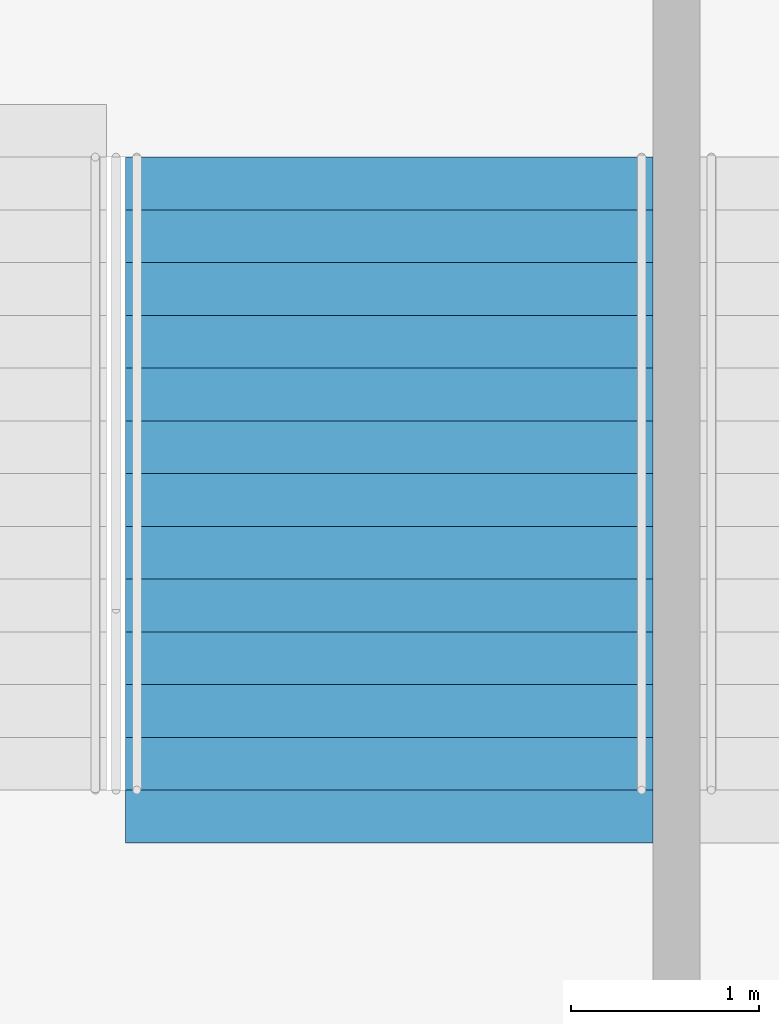
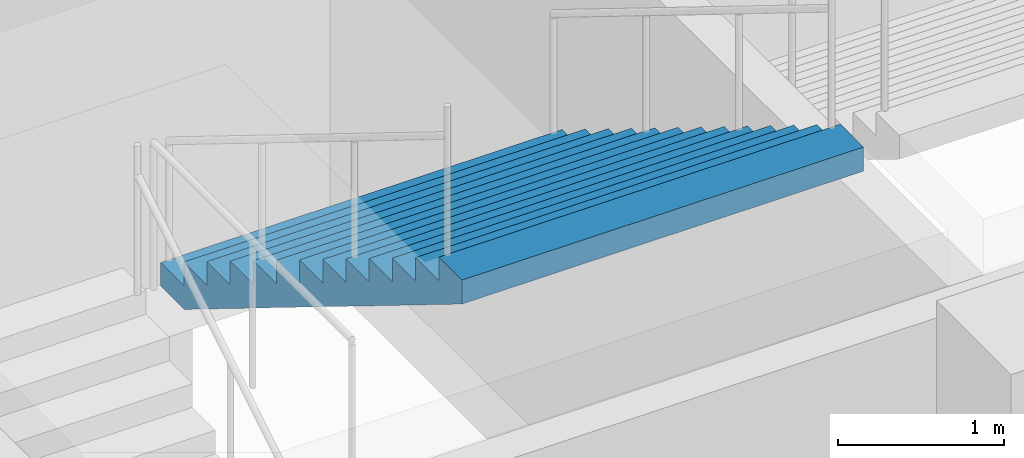
# One storey, part 160 of 199: 1 stair flight, 1 element without a shape of its own.
"""IFC4 building model written with IfcOpenShell, lengths in metres."""

from ifc_helpers import new_model, si_unit, direction, frame, origin, place, context, subcontext, project, spatial, faceted_brep, material, type_object, element, aggregate, save


model = new_model("IFC4")

# Units and contexts
model_context = context("Model", 3, precision=1e-05, world=origin(), true_north=direction((0.0, 1.0)))
body_context = subcontext(model_context, "Body", "Model", "MODEL_VIEW")
ifc_project = project(units=[si_unit("LENGTHUNIT", "METRE"), si_unit("AREAUNIT", "SQUARE_METRE"), si_unit("VOLUMEUNIT", "CUBIC_METRE"), si_unit("PLANEANGLEUNIT", "RADIAN"), si_unit("MASSUNIT", "GRAM", prefix="KILO")], contexts=[model_context])

# Site, building, storey
site_placement = place(None, origin())
site = spatial("IfcSite", under=ifc_project, at=site_placement, CompositionType="ELEMENT")
building_placement = place(site_placement, origin())
building = spatial("IfcBuilding", under=site, at=building_placement, Name="Ogive Plaza Stadium", CompositionType="ELEMENT")
storey_placement = place(building_placement, frame((0.0, 0.0, 9.0)))
storey = spatial("IfcBuildingStorey", under=building, at=storey_placement, Name="L02", CompositionType="ELEMENT", Elevation=9.0)

# Stair, stair flight
ifc_material_1 = material(Name="Concrete C40/50", Category="concrete")
stair_type = type_object("IfcStairType", Name="Exit stair", PredefinedType="STRAIGHT_RUN_STAIR", material=ifc_material_1)
stair_placement = place(storey_placement, origin())
stair = element("IfcStair", 1, at=stair_placement, inside=storey, type_object=stair_type, Name="Exit stair ST32B L02 to L03", PredefinedType="STRAIGHT_RUN_STAIR")
ifc_material_2 = material(Name="Concrete C40/50", Category="concrete")
stair_flight_type = type_object("IfcStairFlightType", Name="Exit stair flight", PredefinedType="STRAIGHT", material=ifc_material_2)
stair_flight_placement = place(storey_placement, frame((-35.52490234375, 98.2099609375, 2.25), z_axis=(0.0, 0.0, 1.0), x_axis=(0.0, -1.0, 0.0)))
stair_flight = element("IfcStairFlight", 2, at=stair_flight_placement, type_object=stair_flight_type, Name="ST32B flight 2", NumberOfRisers=13, NumberOfTreads=12, PredefinedType="STRAIGHT", RiserHeight=0.173076923, TreadLength=0.28, context=body_context, shape_type="Brep", body=[
    faceted_brep([(0.28515625, -1.39990234375, 0.0), (3.639892578125, -1.39990234375, 2.07373046875), (3.639892578125, -1.39990234375, 2.25), (3.360107421875, -1.39990234375, 2.25), (3.360107421875, -1.39990234375, 2.076904296875), (3.080078125, -1.39990234375, 2.076904296875), (3.080078125, -1.39990234375, 1.90380859375), (2.800048828125, -1.39990234375, 1.90380859375), (2.800048828125, -1.39990234375, 1.730712890625), (2.52001953125, -1.39990234375, 1.730712890625), (2.52001953125, -1.39990234375, 1.5576171875), (2.239990234375, -1.39990234375, 1.5576171875), (2.239990234375, -1.39990234375, 1.384521484375), (1.9599609375, -1.39990234375, 1.384521484375), (1.9599609375, -1.39990234375, 1.21142578125), (1.679931640625, -1.39990234375, 1.21142578125), (1.679931640625, -1.39990234375, 1.03857421875), (1.39990234375, -1.39990234375, 1.03857421875), (1.39990234375, -1.39990234375, 0.865478515625), (1.1201171875, -1.39990234375, 0.865478515625), (1.1201171875, -1.39990234375, 0.6923828125), (0.840087890625, -1.39990234375, 0.6923828125), (0.840087890625, -1.39990234375, 0.519287109375), (0.56005859375, -1.39990234375, 0.519287109375), (0.56005859375, -1.39990234375, 0.34619140625), (0.280029296875, -1.39990234375, 0.34619140625), (0.280029296875, -1.39990234375, 0.173095703125), (0.0, -1.39990234375, 0.173095703125), (0.0, -1.39990234375, 0.0), (0.0, 1.39990234375, 0.0), (0.0, 1.39990234375, 0.173095703125), (0.280029296875, 1.39990234375, 0.173095703125), (0.280029296875, 1.39990234375, 0.34619140625), (0.56005859375, 1.39990234375, 0.34619140625), (0.56005859375, 1.39990234375, 0.519287109375), (0.840087890625, 1.39990234375, 0.519287109375), (0.840087890625, 1.39990234375, 0.6923828125), (1.1201171875, 1.39990234375, 0.6923828125), (1.1201171875, 1.39990234375, 0.865478515625), (1.39990234375, 1.39990234375, 0.865478515625), (1.39990234375, 1.39990234375, 1.03857421875), (1.679931640625, 1.39990234375, 1.03857421875), (1.679931640625, 1.39990234375, 1.21142578125), (1.9599609375, 1.39990234375, 1.21142578125), (1.9599609375, 1.39990234375, 1.384521484375), (2.239990234375, 1.39990234375, 1.384521484375), (2.239990234375, 1.39990234375, 1.5576171875), (2.52001953125, 1.39990234375, 1.5576171875), (2.52001953125, 1.39990234375, 1.730712890625), (2.800048828125, 1.39990234375, 1.730712890625), (2.800048828125, 1.39990234375, 1.90380859375), (3.080078125, 1.39990234375, 1.90380859375), (3.080078125, 1.39990234375, 2.076904296875), (3.360107421875, 1.39990234375, 2.076904296875), (3.360107421875, 1.39990234375, 2.25), (3.639892578125, 1.39990234375, 2.25), (3.639892578125, 1.39990234375, 2.07373046875), (0.28515625, 1.39990234375, 0.0), (0.28515625, -1.0888671875, 0.0), (3.639892578125, -1.0888671875, 2.07373046875), (0.28515625, -0.77783203125, 0.0), (3.639892578125, -0.77783203125, 2.07373046875), (0.28515625, -0.466796875, 0.0), (3.639892578125, -0.466796875, 2.07373046875), (0.28515625, -0.155517578125, 0.0), (3.639892578125, -0.155517578125, 2.07373046875), (0.28515625, 0.155517578125, 0.0), (3.639892578125, 0.155517578125, 2.07373046875), (0.28515625, 0.466796875, 0.0), (3.639892578125, 0.466796875, 2.07373046875), (0.28515625, 0.77783203125, 0.0), (3.639892578125, 0.77783203125, 2.07373046875), (0.28515625, 1.0888671875, 0.0), (3.639892578125, 1.0888671875, 2.07373046875), (3.639892578125, -1.0888671875, 2.25), (3.639892578125, -0.77783203125, 2.25), (3.639892578125, -0.466796875, 2.25), (3.639892578125, -0.155517578125, 2.25), (3.639892578125, 0.155517578125, 2.25), (3.639892578125, 0.466796875, 2.25), (3.639892578125, 0.77783203125, 2.25), (3.639892578125, 1.0888671875, 2.25), (3.360107421875, -1.0888671875, 2.25), (3.360107421875, -0.77783203125, 2.25), (3.360107421875, -0.466796875, 2.25), (3.360107421875, -0.155517578125, 2.25), (3.360107421875, 0.155517578125, 2.25), (3.360107421875, 0.466796875, 2.25), (3.360107421875, 0.77783203125, 2.25), (3.360107421875, 1.0888671875, 2.25), (3.360107421875, -1.0888671875, 2.076904296875), (3.360107421875, -0.77783203125, 2.076904296875), (3.360107421875, -0.466796875, 2.076904296875), (3.360107421875, -0.155517578125, 2.076904296875), (3.360107421875, 0.155517578125, 2.076904296875), (3.360107421875, 0.466796875, 2.076904296875), (3.360107421875, 0.77783203125, 2.076904296875), (3.360107421875, 1.0888671875, 2.076904296875), (3.080078125, -1.0888671875, 2.076904296875), (3.080078125, -0.77783203125, 2.076904296875), (3.080078125, -0.466796875, 2.076904296875), (3.080078125, -0.155517578125, 2.076904296875), (3.080078125, 0.155517578125, 2.076904296875), (3.080078125, 0.466796875, 2.076904296875), (3.080078125, 0.77783203125, 2.076904296875), (3.080078125, 1.0888671875, 2.076904296875), (3.080078125, -1.0888671875, 1.90380859375), (3.080078125, -0.77783203125, 1.90380859375), (3.080078125, -0.466796875, 1.90380859375), (3.080078125, -0.155517578125, 1.90380859375), (3.080078125, 0.155517578125, 1.90380859375), (3.080078125, 0.466796875, 1.90380859375), (3.080078125, 0.77783203125, 1.90380859375), (3.080078125, 1.0888671875, 1.90380859375), (2.800048828125, -1.0888671875, 1.90380859375), (2.800048828125, -0.77783203125, 1.90380859375), (2.800048828125, -0.466796875, 1.90380859375), (2.800048828125, -0.155517578125, 1.90380859375), (2.800048828125, 0.155517578125, 1.90380859375), (2.800048828125, 0.466796875, 1.90380859375), (2.800048828125, 0.77783203125, 1.90380859375), (2.800048828125, 1.0888671875, 1.90380859375), (2.800048828125, -1.0888671875, 1.730712890625), (2.800048828125, -0.77783203125, 1.730712890625), (2.800048828125, -0.466796875, 1.730712890625), (2.800048828125, -0.155517578125, 1.730712890625), (2.800048828125, 0.155517578125, 1.730712890625), (2.800048828125, 0.466796875, 1.730712890625), (2.800048828125, 0.77783203125, 1.730712890625), (2.800048828125, 1.0888671875, 1.730712890625), (2.52001953125, -1.0888671875, 1.730712890625), (2.52001953125, -0.77783203125, 1.730712890625), (2.52001953125, -0.466796875, 1.730712890625), (2.52001953125, -0.155517578125, 1.730712890625), (2.52001953125, 0.155517578125, 1.730712890625), (2.52001953125, 0.466796875, 1.730712890625), (2.52001953125, 0.77783203125, 1.730712890625), (2.52001953125, 1.0888671875, 1.730712890625), (2.52001953125, -1.0888671875, 1.5576171875), (2.52001953125, -0.77783203125, 1.5576171875), (2.52001953125, -0.466796875, 1.5576171875), (2.52001953125, -0.155517578125, 1.5576171875), (2.52001953125, 0.155517578125, 1.5576171875), (2.52001953125, 0.466796875, 1.5576171875), (2.52001953125, 0.77783203125, 1.5576171875), (2.52001953125, 1.0888671875, 1.5576171875), (2.239990234375, -1.0888671875, 1.5576171875), (2.239990234375, -0.77783203125, 1.5576171875), (2.239990234375, -0.466796875, 1.5576171875), (2.239990234375, -0.155517578125, 1.5576171875), (2.239990234375, 0.155517578125, 1.5576171875), (2.239990234375, 0.466796875, 1.5576171875), (2.239990234375, 0.77783203125, 1.5576171875), (2.239990234375, 1.0888671875, 1.5576171875), (2.239990234375, -1.0888671875, 1.384521484375), (2.239990234375, -0.77783203125, 1.384521484375), (2.239990234375, -0.466796875, 1.384521484375), (2.239990234375, -0.155517578125, 1.384521484375), (2.239990234375, 0.155517578125, 1.384521484375), (2.239990234375, 0.466796875, 1.384521484375), (2.239990234375, 0.77783203125, 1.384521484375), (2.239990234375, 1.0888671875, 1.384521484375), (1.9599609375, -1.0888671875, 1.384521484375), (1.9599609375, -0.77783203125, 1.384521484375), (1.9599609375, -0.466796875, 1.384521484375), (1.9599609375, -0.155517578125, 1.384521484375), (1.9599609375, 0.155517578125, 1.384521484375), (1.9599609375, 0.466796875, 1.384521484375), (1.9599609375, 0.77783203125, 1.384521484375), (1.9599609375, 1.0888671875, 1.384521484375), (1.9599609375, -1.0888671875, 1.21142578125), (1.9599609375, -0.77783203125, 1.21142578125), (1.9599609375, -0.466796875, 1.21142578125), (1.9599609375, -0.155517578125, 1.21142578125), (1.9599609375, 0.155517578125, 1.21142578125), (1.9599609375, 0.466796875, 1.21142578125), (1.9599609375, 0.77783203125, 1.21142578125), (1.9599609375, 1.0888671875, 1.21142578125), (1.679931640625, -1.0888671875, 1.21142578125), (1.679931640625, -0.77783203125, 1.21142578125), (1.679931640625, -0.466796875, 1.21142578125), (1.679931640625, -0.155517578125, 1.21142578125), (1.679931640625, 0.155517578125, 1.21142578125), (1.679931640625, 0.466796875, 1.21142578125), (1.679931640625, 0.77783203125, 1.21142578125), (1.679931640625, 1.0888671875, 1.21142578125), (1.679931640625, -1.0888671875, 1.03857421875), (1.679931640625, -0.77783203125, 1.03857421875), (1.679931640625, -0.466796875, 1.03857421875), (1.679931640625, -0.155517578125, 1.03857421875), (1.679931640625, 0.155517578125, 1.03857421875), (1.679931640625, 0.466796875, 1.03857421875), (1.679931640625, 0.77783203125, 1.03857421875), (1.679931640625, 1.0888671875, 1.03857421875), (1.39990234375, -1.0888671875, 1.03857421875), (1.39990234375, -0.77783203125, 1.03857421875), (1.39990234375, -0.466796875, 1.03857421875), (1.39990234375, -0.155517578125, 1.03857421875), (1.39990234375, 0.155517578125, 1.03857421875), (1.39990234375, 0.466796875, 1.03857421875), (1.39990234375, 0.77783203125, 1.03857421875), (1.39990234375, 1.0888671875, 1.03857421875), (1.39990234375, -1.0888671875, 0.865478515625), (1.39990234375, -0.77783203125, 0.865478515625), (1.39990234375, -0.466796875, 0.865478515625), (1.39990234375, -0.155517578125, 0.865478515625), (1.39990234375, 0.155517578125, 0.865478515625), (1.39990234375, 0.466796875, 0.865478515625), (1.39990234375, 0.77783203125, 0.865478515625), (1.39990234375, 1.0888671875, 0.865478515625), (1.1201171875, -1.0888671875, 0.865478515625), (1.1201171875, -0.77783203125, 0.865478515625), (1.1201171875, -0.466796875, 0.865478515625), (1.1201171875, -0.155517578125, 0.865478515625), (1.1201171875, 0.155517578125, 0.865478515625), (1.1201171875, 0.466796875, 0.865478515625), (1.1201171875, 0.77783203125, 0.865478515625), (1.1201171875, 1.0888671875, 0.865478515625), (1.1201171875, -1.0888671875, 0.6923828125), (1.1201171875, -0.77783203125, 0.6923828125), (1.1201171875, -0.466796875, 0.6923828125), (1.1201171875, -0.155517578125, 0.6923828125), (1.1201171875, 0.155517578125, 0.6923828125), (1.1201171875, 0.466796875, 0.6923828125), (1.1201171875, 0.77783203125, 0.6923828125), (1.1201171875, 1.0888671875, 0.6923828125), (0.840087890625, -1.0888671875, 0.6923828125), (0.840087890625, -0.77783203125, 0.6923828125), (0.840087890625, -0.466796875, 0.6923828125), (0.840087890625, -0.155517578125, 0.6923828125), (0.840087890625, 0.155517578125, 0.6923828125), (0.840087890625, 0.466796875, 0.6923828125), (0.840087890625, 0.77783203125, 0.6923828125), (0.840087890625, 1.0888671875, 0.6923828125), (0.840087890625, -1.0888671875, 0.519287109375), (0.840087890625, -0.77783203125, 0.519287109375), (0.840087890625, -0.466796875, 0.519287109375), (0.840087890625, -0.155517578125, 0.519287109375), (0.840087890625, 0.155517578125, 0.519287109375), (0.840087890625, 0.466796875, 0.519287109375), (0.840087890625, 0.77783203125, 0.519287109375), (0.840087890625, 1.0888671875, 0.519287109375), (0.56005859375, -1.0888671875, 0.519287109375), (0.56005859375, -0.77783203125, 0.519287109375), (0.56005859375, -0.466796875, 0.519287109375), (0.56005859375, -0.155517578125, 0.519287109375), (0.56005859375, 0.155517578125, 0.519287109375), (0.56005859375, 0.466796875, 0.519287109375), (0.56005859375, 0.77783203125, 0.519287109375), (0.56005859375, 1.0888671875, 0.519287109375), (0.56005859375, -1.0888671875, 0.34619140625), (0.56005859375, -0.77783203125, 0.34619140625), (0.56005859375, -0.466796875, 0.34619140625), (0.56005859375, -0.155517578125, 0.34619140625), (0.56005859375, 0.155517578125, 0.34619140625), (0.56005859375, 0.466796875, 0.34619140625), (0.56005859375, 0.77783203125, 0.34619140625), (0.56005859375, 1.0888671875, 0.34619140625), (0.280029296875, -1.0888671875, 0.34619140625), (0.280029296875, -0.77783203125, 0.34619140625), (0.280029296875, -0.466796875, 0.34619140625), (0.280029296875, -0.155517578125, 0.34619140625), (0.280029296875, 0.155517578125, 0.34619140625), (0.280029296875, 0.466796875, 0.34619140625), (0.280029296875, 0.77783203125, 0.34619140625), (0.280029296875, 1.0888671875, 0.34619140625), (0.280029296875, -1.0888671875, 0.173095703125), (0.280029296875, -0.77783203125, 0.173095703125), (0.280029296875, -0.466796875, 0.173095703125), (0.280029296875, -0.155517578125, 0.173095703125), (0.280029296875, 0.155517578125, 0.173095703125), (0.280029296875, 0.466796875, 0.173095703125), (0.280029296875, 0.77783203125, 0.173095703125), (0.280029296875, 1.0888671875, 0.173095703125), (0.0, -1.0888671875, 0.173095703125), (0.0, -0.77783203125, 0.173095703125), (0.0, -0.466796875, 0.173095703125), (0.0, -0.155517578125, 0.173095703125), (0.0, 0.155517578125, 0.173095703125), (0.0, 0.466796875, 0.173095703125), (0.0, 0.77783203125, 0.173095703125), (0.0, 1.0888671875, 0.173095703125), (0.0, -1.0888671875, 0.0), (0.0, -0.77783203125, 0.0), (0.0, -0.466796875, 0.0), (0.0, -0.155517578125, 0.0), (0.0, 0.155517578125, 0.0), (0.0, 0.466796875, 0.0), (0.0, 0.77783203125, 0.0), (0.0, 1.0888671875, 0.0)], [[[0, 1, 2, 3, 4, 5, 6, 7, 8, 9, 10, 11, 12, 13, 14, 15, 16, 17, 18, 19, 20, 21, 22, 23, 24, 25, 26, 27, 28]], [[29, 30, 31, 32, 33, 34, 35, 36, 37, 38, 39, 40, 41, 42, 43, 44, 45, 46, 47, 48, 49, 50, 51, 52, 53, 54, 55, 56, 57]], [[0, 58, 59, 1]], [[58, 60, 61, 59]], [[60, 62, 63, 61]], [[62, 64, 65, 63]], [[64, 66, 67, 65]], [[66, 68, 69, 67]], [[68, 70, 71, 69]], [[70, 72, 73, 71]], [[72, 57, 56, 73]], [[1, 59, 74, 2]], [[59, 61, 75, 74]], [[61, 63, 76, 75]], [[63, 65, 77, 76]], [[65, 67, 78, 77]], [[67, 69, 79, 78]], [[69, 71, 80, 79]], [[71, 73, 81, 80]], [[73, 56, 55, 81]], [[2, 74, 82, 3]], [[74, 75, 83, 82]], [[75, 76, 84, 83]], [[76, 77, 85, 84]], [[77, 78, 86, 85]], [[78, 79, 87, 86]], [[79, 80, 88, 87]], [[80, 81, 89, 88]], [[81, 55, 54, 89]], [[3, 82, 90, 4]], [[82, 83, 91, 90]], [[83, 84, 92, 91]], [[84, 85, 93, 92]], [[85, 86, 94, 93]], [[86, 87, 95, 94]], [[87, 88, 96, 95]], [[88, 89, 97, 96]], [[89, 54, 53, 97]], [[4, 90, 98, 5]], [[90, 91, 99, 98]], [[91, 92, 100, 99]], [[92, 93, 101, 100]], [[93, 94, 102, 101]], [[94, 95, 103, 102]], [[95, 96, 104, 103]], [[96, 97, 105, 104]], [[97, 53, 52, 105]], [[5, 98, 106, 6]], [[98, 99, 107, 106]], [[99, 100, 108, 107]], [[100, 101, 109, 108]], [[101, 102, 110, 109]], [[102, 103, 111, 110]], [[103, 104, 112, 111]], [[104, 105, 113, 112]], [[105, 52, 51, 113]], [[6, 106, 114, 7]], [[106, 107, 115, 114]], [[107, 108, 116, 115]], [[108, 109, 117, 116]], [[109, 110, 118, 117]], [[110, 111, 119, 118]], [[111, 112, 120, 119]], [[112, 113, 121, 120]], [[113, 51, 50, 121]], [[7, 114, 122, 8]], [[114, 115, 123, 122]], [[115, 116, 124, 123]], [[116, 117, 125, 124]], [[117, 118, 126, 125]], [[118, 119, 127, 126]], [[119, 120, 128, 127]], [[120, 121, 129, 128]], [[121, 50, 49, 129]], [[8, 122, 130, 9]], [[122, 123, 131, 130]], [[123, 124, 132, 131]], [[124, 125, 133, 132]], [[125, 126, 134, 133]], [[126, 127, 135, 134]], [[127, 128, 136, 135]], [[128, 129, 137, 136]], [[129, 49, 48, 137]], [[9, 130, 138, 10]], [[130, 131, 139, 138]], [[131, 132, 140, 139]], [[132, 133, 141, 140]], [[133, 134, 142, 141]], [[134, 135, 143, 142]], [[135, 136, 144, 143]], [[136, 137, 145, 144]], [[137, 48, 47, 145]], [[10, 138, 146, 11]], [[138, 139, 147, 146]], [[139, 140, 148, 147]], [[140, 141, 149, 148]], [[141, 142, 150, 149]], [[142, 143, 151, 150]], [[143, 144, 152, 151]], [[144, 145, 153, 152]], [[145, 47, 46, 153]], [[11, 146, 154, 12]], [[146, 147, 155, 154]], [[147, 148, 156, 155]], [[148, 149, 157, 156]], [[149, 150, 158, 157]], [[150, 151, 159, 158]], [[151, 152, 160, 159]], [[152, 153, 161, 160]], [[153, 46, 45, 161]], [[12, 154, 162, 13]], [[154, 155, 163, 162]], [[155, 156, 164, 163]], [[156, 157, 165, 164]], [[157, 158, 166, 165]], [[158, 159, 167, 166]], [[159, 160, 168, 167]], [[160, 161, 169, 168]], [[161, 45, 44, 169]], [[13, 162, 170, 14]], [[162, 163, 171, 170]], [[163, 164, 172, 171]], [[164, 165, 173, 172]], [[165, 166, 174, 173]], [[166, 167, 175, 174]], [[167, 168, 176, 175]], [[168, 169, 177, 176]], [[169, 44, 43, 177]], [[14, 170, 178, 15]], [[170, 171, 179, 178]], [[171, 172, 180, 179]], [[172, 173, 181, 180]], [[173, 174, 182, 181]], [[174, 175, 183, 182]], [[175, 176, 184, 183]], [[176, 177, 185, 184]], [[177, 43, 42, 185]], [[15, 178, 186, 16]], [[178, 179, 187, 186]], [[179, 180, 188, 187]], [[180, 181, 189, 188]], [[181, 182, 190, 189]], [[182, 183, 191, 190]], [[183, 184, 192, 191]], [[184, 185, 193, 192]], [[185, 42, 41, 193]], [[16, 186, 194, 17]], [[186, 187, 195, 194]], [[187, 188, 196, 195]], [[188, 189, 197, 196]], [[189, 190, 198, 197]], [[190, 191, 199, 198]], [[191, 192, 200, 199]], [[192, 193, 201, 200]], [[193, 41, 40, 201]], [[17, 194, 202, 18]], [[194, 195, 203, 202]], [[195, 196, 204, 203]], [[196, 197, 205, 204]], [[197, 198, 206, 205]], [[198, 199, 207, 206]], [[199, 200, 208, 207]], [[200, 201, 209, 208]], [[201, 40, 39, 209]], [[18, 202, 210, 19]], [[202, 203, 211, 210]], [[203, 204, 212, 211]], [[204, 205, 213, 212]], [[205, 206, 214, 213]], [[206, 207, 215, 214]], [[207, 208, 216, 215]], [[208, 209, 217, 216]], [[209, 39, 38, 217]], [[19, 210, 218, 20]], [[210, 211, 219, 218]], [[211, 212, 220, 219]], [[212, 213, 221, 220]], [[213, 214, 222, 221]], [[214, 215, 223, 222]], [[215, 216, 224, 223]], [[216, 217, 225, 224]], [[217, 38, 37, 225]], [[20, 218, 226, 21]], [[218, 219, 227, 226]], [[219, 220, 228, 227]], [[220, 221, 229, 228]], [[221, 222, 230, 229]], [[222, 223, 231, 230]], [[223, 224, 232, 231]], [[224, 225, 233, 232]], [[225, 37, 36, 233]], [[21, 226, 234, 22]], [[226, 227, 235, 234]], [[227, 228, 236, 235]], [[228, 229, 237, 236]], [[229, 230, 238, 237]], [[230, 231, 239, 238]], [[231, 232, 240, 239]], [[232, 233, 241, 240]], [[233, 36, 35, 241]], [[22, 234, 242, 23]], [[234, 235, 243, 242]], [[235, 236, 244, 243]], [[236, 237, 245, 244]], [[237, 238, 246, 245]], [[238, 239, 247, 246]], [[239, 240, 248, 247]], [[240, 241, 249, 248]], [[241, 35, 34, 249]], [[23, 242, 250, 24]], [[242, 243, 251, 250]], [[243, 244, 252, 251]], [[244, 245, 253, 252]], [[245, 246, 254, 253]], [[246, 247, 255, 254]], [[247, 248, 256, 255]], [[248, 249, 257, 256]], [[249, 34, 33, 257]], [[24, 250, 258, 25]], [[250, 251, 259, 258]], [[251, 252, 260, 259]], [[252, 253, 261, 260]], [[253, 254, 262, 261]], [[254, 255, 263, 262]], [[255, 256, 264, 263]], [[256, 257, 265, 264]], [[257, 33, 32, 265]], [[25, 258, 266, 26]], [[258, 259, 267, 266]], [[259, 260, 268, 267]], [[260, 261, 269, 268]], [[261, 262, 270, 269]], [[262, 263, 271, 270]], [[263, 264, 272, 271]], [[264, 265, 273, 272]], [[265, 32, 31, 273]], [[26, 266, 274, 27]], [[266, 267, 275, 274]], [[267, 268, 276, 275]], [[268, 269, 277, 276]], [[269, 270, 278, 277]], [[270, 271, 279, 278]], [[271, 272, 280, 279]], [[272, 273, 281, 280]], [[273, 31, 30, 281]], [[27, 274, 282, 28]], [[274, 275, 283, 282]], [[275, 276, 284, 283]], [[276, 277, 285, 284]], [[277, 278, 286, 285]], [[278, 279, 287, 286]], [[279, 280, 288, 287]], [[280, 281, 289, 288]], [[281, 30, 29, 289]], [[28, 282, 58, 0]], [[282, 283, 60, 58]], [[283, 284, 62, 60]], [[284, 285, 64, 62]], [[285, 286, 66, 64]], [[286, 287, 68, 66]], [[287, 288, 70, 68]], [[288, 289, 72, 70]], [[289, 29, 57, 72]]]),
])
aggregate(stair, [stair_flight])

save(model, "model.ifc")
